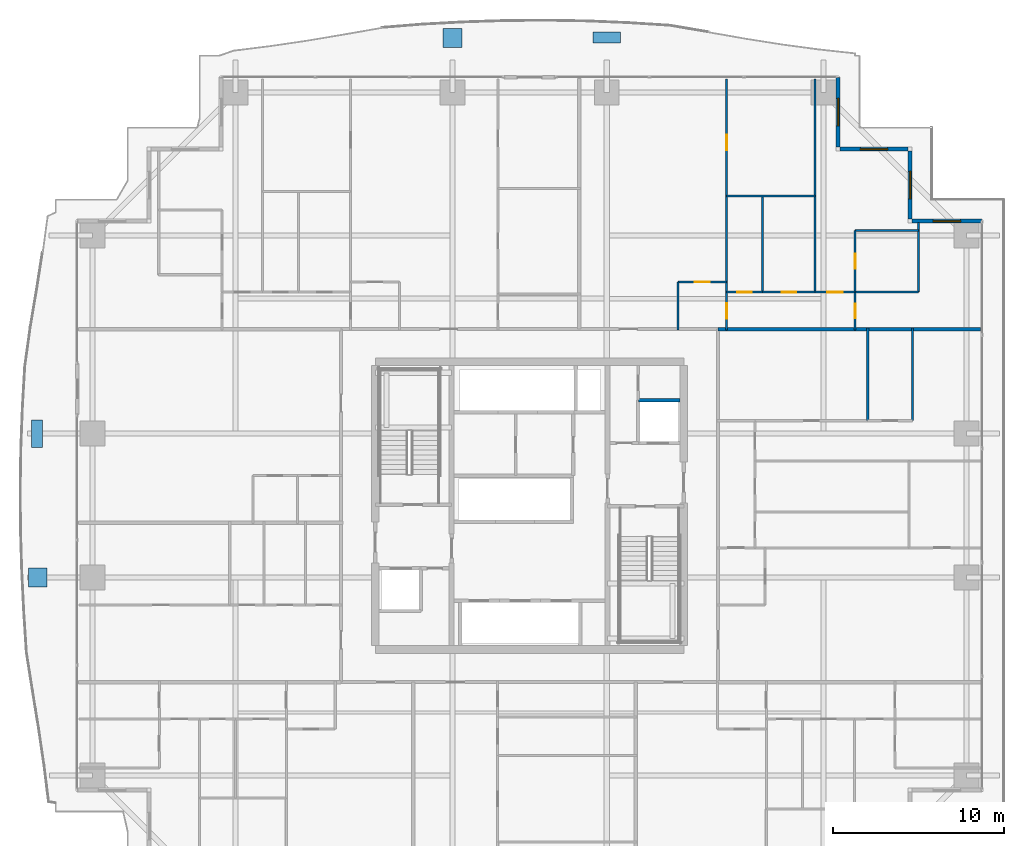
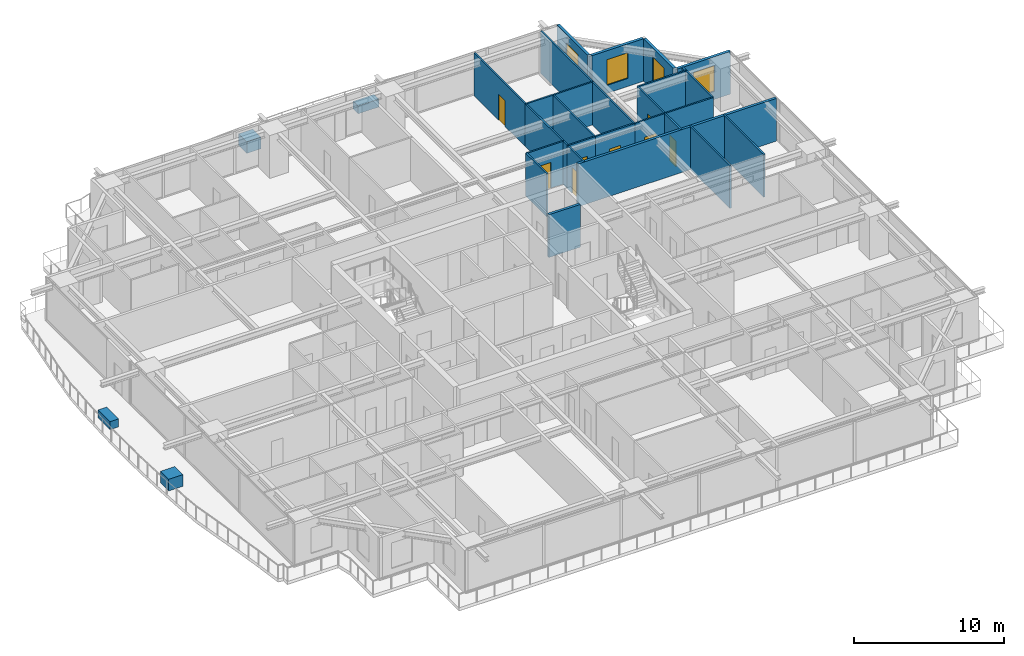
# One storey, part 28 of 35: 24 walls, 8 doors, 4 discrete accessories, 4 windows, 12 openings.
"""IFC4 building model written with IfcOpenShell, lengths in metres."""

from ifc_helpers import new_model, si_unit, direction, frame, frame_2d, origin, origin_2d, place, context, subcontext, project, spatial, rectangle, extrude, source, transform, mapped, material, layer, layer_set, type_object, element, fill, save


model = new_model("IFC4")

# Units and contexts
model_context = context("Model", 3, precision=1e-05, world=origin(), true_north=direction((0.0, 1.0)))
body_context = subcontext(model_context, "Body", "Model", "MODEL_VIEW")
ifc_project = project(units=[si_unit("LENGTHUNIT", "METRE"), si_unit("AREAUNIT", "SQUARE_METRE"), si_unit("VOLUMEUNIT", "CUBIC_METRE"), si_unit("PLANEANGLEUNIT", "RADIAN"), si_unit("MASSUNIT", "GRAM", prefix="KILO")], contexts=[model_context])

# Site, building, storey
site_placement = place(None, origin())
site = spatial("IfcSite", under=ifc_project, at=site_placement, CompositionType="ELEMENT")
building_placement = place(site_placement, origin())
building = spatial("IfcBuilding", under=site, at=building_placement, Name="Serunith Strait Residences", CompositionType="ELEMENT")
storey_placement = place(building_placement, frame((0.0, 0.0, 71.699951171875)))
storey = spatial("IfcBuildingStorey", under=building, at=storey_placement, Name="L17", CompositionType="ELEMENT", Elevation=71.699951171875)

# Wall, opening, window
ifc_material_1 = material(Name="Pale-Champagne Aluminium Insulated Panel", Category="aluminium")
ifc_layer_1 = layer(ifc_material_1, 0.219970703125, Name="Pale-Champagne Aluminium Insulated Panel")
ifc_layer_set_1 = layer_set([ifc_layer_1], Name="Pale-Champagne Aluminium Insulated Panel")
wall_type_1 = type_object("IfcWallType", Name="EW-ALUM-220", PredefinedType="ELEMENTEDWALL", material=ifc_layer_set_1)
wall_1_placement = place(storey_placement, frame((58.800048828125, 41.800048828125, 0.0), z_axis=(0.0, 0.0, 1.0), x_axis=(-1.0, 0.0, 0.0)))
wall_1 = element("IfcWall", 1, at=wall_1_placement, inside=storey, type_object=wall_type_1, Name="L17 Girih Serrated Corner Wall 07", PredefinedType="ELEMENTEDWALL", context=body_context, shape_type="SweptSolid", body=[
    extrude(rectangle(XDim=4.090087890625, YDim=0.219970703125, at=frame_2d((2.044921875, 0.0))), origin(), (0.0, 0.0, 1.0), 3.47509765625),
])
opening_1_placement = place(wall_1_placement, frame((1.2451171875, 0.0, 0.64990234375)))
opening_1 = element("IfcOpeningElement", 2, at=opening_1_placement, cuts=wall_1, Name="Opening W-02", PredefinedType="OPENING", context=body_context, shape_type="SweptSolid", body=[
    extrude(rectangle(XDim=1.60009765625, YDim=2.10009765625, at=frame_2d((0.800048828125, 1.050048828125))), frame((0.0, 0.1201171875, 0.0), z_axis=(0.0, -1.0, 0.0), x_axis=(1.0, 0.0, 0.0)), (0.0, 0.0, 1.0), 0.239990234375),
])
ifc_material_2 = material(Name="Ceramic-Fritted Operable Aluminium Window Glass", Category="aluminium")
window_type = type_object("IfcWindowType", Name="WIN-C2", PartitioningType="DOUBLE_PANEL_VERTICAL", PredefinedType="WINDOW", material=ifc_material_2)
shared_shape_1 = source(origin(), body_context, "Body", "SweptSolid", [
    extrude(rectangle(XDim=1.60009765625, YDim=2.10009765625, at=frame_2d((0.800048828125, 1.050048828125))), frame((0.0, 0.030029296875, 0.0), z_axis=(0.0, -1.0, 0.0), x_axis=(1.0, 0.0, 0.0)), (0.0, 0.0, 1.0), 0.06005859375),
])
window_1_placement = place(opening_1_placement, origin())
window_1 = element("IfcWindow", 3, at=window_1_placement, inside=storey, type_object=window_type, Name="L17 Corner Operable Fritted Window 07", OverallHeight=2.10009765625, OverallWidth=1.60009765625, PartitioningType="SINGLE_PANEL", PredefinedType="WINDOW", context=body_context, shape_type="MappedRepresentation", body=[
    mapped(shared_shape_1, transform((0.0, 0.0, 0.0), scale=1.0)),
])
fill(opening_1, window_1)

wall_2_placement = place(storey_placement, frame((54.60009765625, 41.909912109375, 0.0), z_axis=(0.0, 0.0, 1.0), x_axis=(0.0, 1.0, 0.0)))
wall_2 = element("IfcWall", 4, at=wall_2_placement, inside=storey, type_object=wall_type_1, Name="L17 Girih Serrated Corner Wall 08", PredefinedType="ELEMENTEDWALL", context=body_context, shape_type="SweptSolid", body=[
    extrude(rectangle(XDim=3.97998046875, YDim=0.219970703125, at=frame_2d((1.989990234375, 0.0))), origin(), (0.0, 0.0, 1.0), 3.47509765625),
])
opening_2_placement = place(wall_2_placement, frame((1.18994140625, 0.0, 0.64990234375)))
opening_2 = element("IfcOpeningElement", 5, at=opening_2_placement, cuts=wall_2, Name="Opening W-02", PredefinedType="OPENING", context=body_context, shape_type="SweptSolid", body=[
    extrude(rectangle(XDim=1.60009765625, YDim=2.10009765625, at=frame_2d((0.800048828125, 1.050048828125))), frame((0.0, 0.1201171875, 0.0), z_axis=(0.0, -1.0, 0.0), x_axis=(1.0, 0.0, 0.0)), (0.0, 0.0, 1.0), 0.239990234375),
])
window_2_placement = place(opening_2_placement, origin())
window_2 = element("IfcWindow", 6, at=window_2_placement, inside=storey, type_object=window_type, Name="L17 Corner Operable Fritted Window 08", OverallHeight=2.10009765625, OverallWidth=1.60009765625, PartitioningType="SINGLE_PANEL", PredefinedType="WINDOW", context=body_context, shape_type="MappedRepresentation", body=[
    mapped(shared_shape_1, transform((0.0, 0.0, 0.0), scale=1.0)),
])
fill(opening_2, window_2)

wall_3_placement = place(storey_placement, frame((54.489990234375, 46.0, 0.0), z_axis=(0.0, 0.0, 1.0), x_axis=(-1.0, 0.0, 0.0)))
wall_3 = element("IfcWall", 7, at=wall_3_placement, inside=storey, type_object=wall_type_1, Name="L17 Girih Serrated Corner Wall 09", PredefinedType="ELEMENTEDWALL", context=body_context, shape_type="SweptSolid", body=[
    extrude(rectangle(XDim=3.97998046875, YDim=0.219970703125, at=frame_2d((1.989990234375, 0.0))), origin(), (0.0, 0.0, 1.0), 3.47509765625),
])
opening_3_placement = place(wall_3_placement, frame((1.18994140625, 0.0, 0.64990234375)))
opening_3 = element("IfcOpeningElement", 8, at=opening_3_placement, cuts=wall_3, Name="Opening W-02", PredefinedType="OPENING", context=body_context, shape_type="SweptSolid", body=[
    extrude(rectangle(XDim=1.60009765625, YDim=2.10009765625, at=frame_2d((0.800048828125, 1.050048828125))), frame((0.0, 0.1201171875, 0.0), z_axis=(0.0, -1.0, 0.0), x_axis=(1.0, 0.0, 0.0)), (0.0, 0.0, 1.0), 0.239990234375),
])
window_3_placement = place(opening_3_placement, origin())
window_3 = element("IfcWindow", 9, at=window_3_placement, inside=storey, type_object=window_type, Name="L17 Corner Operable Fritted Window 09", OverallHeight=2.10009765625, OverallWidth=1.60009765625, PartitioningType="SINGLE_PANEL", PredefinedType="WINDOW", context=body_context, shape_type="MappedRepresentation", body=[
    mapped(shared_shape_1, transform((0.0, 0.0, 0.0), scale=1.0)),
])
fill(opening_3, window_3)

wall_4_placement = place(storey_placement, frame((50.39990234375, 46.110107421875, 0.0), z_axis=(0.0, 0.0, 1.0), x_axis=(0.0, 1.0, 0.0)))
wall_4 = element("IfcWall", 10, at=wall_4_placement, inside=storey, type_object=wall_type_1, Name="L17 Girih Serrated Corner Wall 10", PredefinedType="ELEMENTEDWALL", context=body_context, shape_type="SweptSolid", body=[
    extrude(rectangle(XDim=4.08984375, YDim=0.219970703125, at=frame_2d((2.044921875, 0.0))), origin(), (0.0, 0.0, 1.0), 3.47509765625),
])
opening_4_placement = place(wall_4_placement, frame((1.2451171875, 0.0, 0.64990234375)))
opening_4 = element("IfcOpeningElement", 11, at=opening_4_placement, cuts=wall_4, Name="Opening W-02", PredefinedType="OPENING", context=body_context, shape_type="SweptSolid", body=[
    extrude(rectangle(XDim=1.60009765625, YDim=2.10009765625, at=frame_2d((0.800048828125, 1.050048828125))), frame((0.0, 0.1201171875, 0.0), z_axis=(0.0, -1.0, 0.0), x_axis=(1.0, 0.0, 0.0)), (0.0, 0.0, 1.0), 0.239990234375),
])
window_4_placement = place(opening_4_placement, origin())
window_4 = element("IfcWindow", 12, at=window_4_placement, inside=storey, type_object=window_type, Name="L17 Corner Operable Fritted Window 10", OverallHeight=2.10009765625, OverallWidth=1.60009765625, PartitioningType="SINGLE_PANEL", PredefinedType="WINDOW", context=body_context, shape_type="MappedRepresentation", body=[
    mapped(shared_shape_1, transform((0.0, 0.0, 0.0), scale=1.0)),
])
fill(opening_4, window_4)

# Wall, opening, door
ifc_material_3 = material(Name="Lightweight steel-stud gypsum partition", Category="steel")
ifc_layer_2 = layer(ifc_material_3, 0.1201171875, Name="Lightweight steel-stud gypsum partition")
ifc_layer_set_2 = layer_set([ifc_layer_2], Name="Lightweight steel-stud gypsum partition")
wall_type_2 = type_object("IfcWallType", Name="IW-PART-120", PredefinedType="PARTITIONING", material=ifc_layer_set_2)
wall_5_placement = place(storey_placement, frame((41.050048828125, 38.25, 0.0), z_axis=(0.0, 0.0, 1.0), x_axis=(1.0, 0.0, 0.0)))
wall_5 = element("IfcWall", 13, at=wall_5_placement, inside=storey, type_object=wall_type_2, Name="L17 Partition Wall 086", PredefinedType="PARTITIONING", context=body_context, shape_type="SweptSolid", body=[
    extrude(rectangle(XDim=2.849853515625, YDim=0.1201171875, at=frame_2d((1.4248046875, 0.0))), origin(), (0.0, 0.0, 1.0), 3.489990234375),
])
opening_5_placement = place(wall_5_placement, frame((1.0, 0.0, 0.0)))
opening_5 = element("IfcOpeningElement", 14, at=opening_5_placement, cuts=wall_5, Name="Opening D-RM850", PredefinedType="OPENING", context=body_context, shape_type="SweptSolid", body=[
    extrude(rectangle(XDim=0.85009765625, YDim=2.10009765625, at=frame_2d((0.425048828125, 1.050048828125))), frame((0.0, 0.070068359375, 0.0), z_axis=(0.0, -1.0, 0.0), x_axis=(1.0, 0.0, 0.0)), (0.0, 0.0, 1.0), 0.14013671875),
])
ifc_material_4 = material(Name="Engineered timber flush study and kitchen door", Category="wood")
door_type_1 = type_object("IfcDoorType", Name="ID-ROOM-850", OperationType="NOTDEFINED", PredefinedType="DOOR", material=ifc_material_4)
shared_shape_2 = source(origin(), body_context, "Body", "SweptSolid", [
    extrude(rectangle(XDim=0.85009765625, YDim=2.10009765625, at=frame_2d((0.425048828125, 1.050048828125))), frame((0.0, 0.02490234375, 0.0), z_axis=(0.0, -1.0, 0.0), x_axis=(1.0, 0.0, 0.0)), (0.0, 0.0, 1.0), 0.050048828125),
])
door_1_placement = place(opening_5_placement, origin())
door_1 = element("IfcDoor", 15, at=door_1_placement, inside=storey, type_object=door_type_1, Name="L17 Kitchen 1705 Door", OperationType="SINGLE_SWING_RIGHT", OverallHeight=2.10009765625, OverallWidth=0.85009765625, PredefinedType="DOOR", context=body_context, shape_type="MappedRepresentation", body=[
    mapped(shared_shape_2, transform((0.0, 0.0, 0.0), scale=1.0)),
])
fill(opening_5, door_1)

# Wall
wall_6_placement = place(storey_placement, frame((41.050048828125, 38.25, 0.0), z_axis=(0.0, 0.0, 1.0), x_axis=(0.0, -1.0, 0.0)))
element("IfcWall", 16, at=wall_6_placement, inside=storey, type_object=wall_type_2, Name="L17 Partition Wall 087", PredefinedType="PARTITIONING", context=body_context, shape_type="SweptSolid", body=[
    extrude(rectangle(XDim=2.81005859375, YDim=0.1201171875, at=frame_2d((1.405029296875, 0.0))), origin(), (0.0, 0.0, 1.0), 3.489990234375),
])

# Wall, opening, door
wall_7_placement = place(storey_placement, frame((43.89990234375, 37.64990234375, 0.0), z_axis=(0.0, 0.0, 1.0), x_axis=(0.0, -1.0, 0.0)))
wall_7 = element("IfcWall", 17, at=wall_7_placement, inside=storey, type_object=wall_type_2, Name="L17 Partition Wall 088", PredefinedType="PARTITIONING", context=body_context, shape_type="SweptSolid", body=[
    extrude(rectangle(XDim=2.2099609375, YDim=0.1201171875, at=frame_2d((1.10498046875, 0.0))), origin(), (0.0, 0.0, 1.0), 3.489990234375),
])
opening_6_placement = place(wall_7_placement, frame((0.655029296875, 0.0, 0.0)))
opening_6 = element("IfcOpeningElement", 18, at=opening_6_placement, cuts=wall_7, Name="Opening D-RM900", PredefinedType="OPENING", context=body_context, shape_type="SweptSolid", body=[
    extrude(rectangle(XDim=0.89990234375, YDim=2.10009765625, at=frame_2d((0.449951171875, 1.050048828125))), frame((0.0, 0.070068359375, 0.0), z_axis=(0.0, -1.0, 0.0), x_axis=(1.0, 0.0, 0.0)), (0.0, 0.0, 1.0), 0.14013671875),
])
ifc_material_5 = material(Name="Engineered timber flush bedroom door", Category="wood")
door_type_2 = type_object("IfcDoorType", Name="ID-ROOM-900", OperationType="NOTDEFINED", PredefinedType="DOOR", material=ifc_material_5)
shared_shape_3 = source(origin(), body_context, "Body", "SweptSolid", [
    extrude(rectangle(XDim=0.89990234375, YDim=2.10009765625, at=frame_2d((0.449951171875, 1.050048828125))), frame((0.0, 0.02490234375, 0.0), z_axis=(0.0, -1.0, 0.0), x_axis=(1.0, 0.0, 0.0)), (0.0, 0.0, 1.0), 0.050048828125),
])
door_2_placement = place(opening_6_placement, origin())
door_2 = element("IfcDoor", 19, at=door_2_placement, inside=storey, type_object=door_type_2, Name="L17 Hall E 1705 Door", OperationType="SINGLE_SWING_LEFT", OverallHeight=2.10009765625, OverallWidth=0.89990234375, PredefinedType="DOOR", context=body_context, shape_type="MappedRepresentation", body=[
    mapped(shared_shape_3, transform((0.0, 0.0, 0.0), scale=1.0)),
])
fill(opening_6, door_2)

wall_8_placement = place(storey_placement, frame((43.89990234375, 50.10498046875, 0.0), z_axis=(0.0, 0.0, 1.0), x_axis=(0.0, -1.0, 0.0)))
wall_8 = element("IfcWall", 20, at=wall_8_placement, inside=storey, type_object=wall_type_2, Name="L17 Partition Wall 089", PredefinedType="PARTITIONING", context=body_context, shape_type="SweptSolid", body=[
    extrude(rectangle(XDim=6.85107421875, YDim=0.1201171875, at=frame_2d((3.425537109375, 0.0))), origin(), (0.0, 0.0, 1.0), 3.489990234375),
])
opening_7_placement = place(wall_8_placement, frame((3.27294921875, 0.0, 0.0)))
opening_7 = element("IfcOpeningElement", 21, at=opening_7_placement, cuts=wall_8, Name="Opening D-RM900", PredefinedType="OPENING", context=body_context, shape_type="SweptSolid", body=[
    extrude(rectangle(XDim=0.89990234375, YDim=2.10009765625, at=frame_2d((0.449951171875, 1.050048828125))), frame((0.0, 0.070068359375, 0.0), z_axis=(0.0, -1.0, 0.0), x_axis=(1.0, 0.0, 0.0)), (0.0, 0.0, 1.0), 0.14013671875),
])
door_3_placement = place(opening_7_placement, origin())
door_3 = element("IfcDoor", 22, at=door_3_placement, inside=storey, type_object=door_type_2, Name="L17 Formal Dining Room 1 1705 Door", OperationType="SINGLE_SWING_RIGHT", OverallHeight=2.10009765625, OverallWidth=0.89990234375, PredefinedType="DOOR", context=body_context, shape_type="MappedRepresentation", body=[
    mapped(shared_shape_3, transform((0.0, 0.0, 0.0), scale=1.0)),
])
fill(opening_7, door_3)

# Walls
wall_9_placement = place(storey_placement, frame((43.89990234375, 43.251953125, 0.0), z_axis=(0.0, 0.0, 1.0), x_axis=(0.0, -1.0, 0.0)))
element("IfcWall", 23, at=wall_9_placement, inside=storey, type_object=wall_type_2, Name="L17 Partition Wall 090", PredefinedType="PARTITIONING", context=body_context, shape_type="SweptSolid", body=[
    extrude(rectangle(XDim=5.599853515625, YDim=0.1201171875, at=frame_2d((2.7998046875, 0.0))), origin(), (0.0, 0.0, 1.0), 3.489990234375),
])
wall_10_placement = place(storey_placement, frame((43.89990234375, 43.25390625, 0.0), z_axis=(0.0, 0.0, 1.0), x_axis=(1.0, 0.0, 0.0)))
element("IfcWall", 24, at=wall_10_placement, inside=storey, type_object=wall_type_2, Name="L17 Partition Wall 091", PredefinedType="PARTITIONING", context=body_context, shape_type="SweptSolid", body=[
    extrude(rectangle(XDim=5.150146484375, YDim=0.1201171875, at=frame_2d((2.5751953125, 0.0))), origin(), (0.0, 0.0, 1.0), 3.489990234375),
])
wall_11_placement = place(storey_placement, frame((49.050048828125, 50.10498046875, 0.0), z_axis=(0.0, 0.0, 1.0), x_axis=(0.0, -1.0, 0.0)))
element("IfcWall", 25, at=wall_11_placement, inside=storey, type_object=wall_type_2, Name="L17 Partition Wall 092", PredefinedType="PARTITIONING", context=body_context, shape_type="SweptSolid", body=[
    extrude(rectangle(XDim=12.455078125, YDim=0.1201171875, at=frame_2d((6.2275390625, 0.0))), origin(), (0.0, 0.0, 1.0), 3.489990234375),
])
wall_12_placement = place(storey_placement, frame((46.0, 43.25390625, 0.0), z_axis=(0.0, 0.0, 1.0), x_axis=(0.0, -1.0, 0.0)))
element("IfcWall", 26, at=wall_12_placement, inside=storey, type_object=wall_type_2, Name="L17 Partition Wall 093", PredefinedType="PARTITIONING", context=body_context, shape_type="SweptSolid", body=[
    extrude(rectangle(XDim=5.60400390625, YDim=0.1201171875, at=frame_2d((2.802001953125, 0.0))), origin(), (0.0, 0.0, 1.0), 3.489990234375),
])

# Wall, opening, door
wall_13_placement = place(storey_placement, frame((43.89990234375, 37.64990234375, 0.0), z_axis=(0.0, 0.0, 1.0), x_axis=(1.0, 0.0, 0.0)))
wall_13 = element("IfcWall", 27, at=wall_13_placement, inside=storey, type_object=wall_type_2, Name="L17 Partition Wall 094", PredefinedType="PARTITIONING", context=body_context, shape_type="SweptSolid", body=[
    extrude(rectangle(XDim=2.10009765625, YDim=0.1201171875, at=frame_2d((1.050048828125, 0.0))), origin(), (0.0, 0.0, 1.0), 3.489990234375),
])
opening_8_placement = place(wall_13_placement, frame((0.625, 0.0, 0.0)))
opening_8 = element("IfcOpeningElement", 28, at=opening_8_placement, cuts=wall_13, Name="Opening D-BTH850", PredefinedType="OPENING", context=body_context, shape_type="SweptSolid", body=[
    extrude(rectangle(XDim=0.85009765625, YDim=2.10009765625, at=frame_2d((0.425048828125, 1.050048828125))), frame((0.0, 0.070068359375, 0.0), z_axis=(0.0, -1.0, 0.0), x_axis=(1.0, 0.0, 0.0)), (0.0, 0.0, 1.0), 0.14013671875),
])
ifc_material_6 = material(Name="Moisture-resistant timber bathroom door", Category="wood")
door_type_3 = type_object("IfcDoorType", Name="ID-BATH-850", OperationType="NOTDEFINED", PredefinedType="DOOR", material=ifc_material_6)
door_4_placement = place(opening_8_placement, origin())
door_4 = element("IfcDoor", 29, at=door_4_placement, inside=storey, type_object=door_type_3, Name="L17 Bathroom 1705 Door", OperationType="SINGLE_SWING_LEFT", OverallHeight=2.10009765625, OverallWidth=0.85009765625, PredefinedType="DOOR", context=body_context, shape_type="MappedRepresentation", body=[
    mapped(shared_shape_2, transform((0.0, 0.0, 0.0), scale=1.0)),
])
fill(opening_8, door_4)

wall_14_placement = place(storey_placement, frame((46.001953125, 37.64990234375, 0.0), z_axis=(0.0, 0.0, 1.0), x_axis=(1.0, 0.0, 0.0)))
wall_14 = element("IfcWall", 30, at=wall_14_placement, inside=storey, type_object=wall_type_2, Name="L17 Partition Wall 095", PredefinedType="PARTITIONING", context=body_context, shape_type="SweptSolid", body=[
    extrude(rectangle(XDim=3.048095703125, YDim=0.1201171875, at=frame_2d((1.52392578125, 0.0))), origin(), (0.0, 0.0, 1.0), 3.489990234375),
])
opening_9_placement = place(wall_14_placement, frame((1.09912109375, 0.0, 0.0)))
opening_9 = element("IfcOpeningElement", 31, at=opening_9_placement, cuts=wall_14, Name="Opening D-RM850", PredefinedType="OPENING", context=body_context, shape_type="SweptSolid", body=[
    extrude(rectangle(XDim=0.85009765625, YDim=2.10009765625, at=frame_2d((0.425048828125, 1.050048828125))), frame((0.0, 0.070068359375, 0.0), z_axis=(0.0, -1.0, 0.0), x_axis=(1.0, 0.0, 0.0)), (0.0, 0.0, 1.0), 0.14013671875),
])
door_5_placement = place(opening_9_placement, origin())
door_5 = element("IfcDoor", 32, at=door_5_placement, inside=storey, type_object=door_type_1, Name="L17 Formal Dining Room 1705 Door", OperationType="SINGLE_SWING_RIGHT", OverallHeight=2.10009765625, OverallWidth=0.85009765625, PredefinedType="DOOR", context=body_context, shape_type="MappedRepresentation", body=[
    mapped(shared_shape_2, transform((0.0, 0.0, 0.0), scale=1.0)),
])
fill(opening_9, door_5)

wall_15_placement = place(storey_placement, frame((49.052001953125, 37.64990234375, 0.0), z_axis=(0.0, 0.0, 1.0), x_axis=(1.0, 0.0, 0.0)))
wall_15 = element("IfcWall", 33, at=wall_15_placement, inside=storey, type_object=wall_type_2, Name="L17 Partition Wall 096", PredefinedType="PARTITIONING", context=body_context, shape_type="SweptSolid", body=[
    extrude(rectangle(XDim=2.347900390625, YDim=0.1201171875, at=frame_2d((1.173828125, 0.0))), origin(), (0.0, 0.0, 1.0), 3.489990234375),
])
opening_10_placement = place(wall_15_placement, frame((0.72412109375, 0.0, 0.0)))
opening_10 = element("IfcOpeningElement", 34, at=opening_10_placement, cuts=wall_15, Name="Opening D-RM900", PredefinedType="OPENING", context=body_context, shape_type="SweptSolid", body=[
    extrude(rectangle(XDim=0.89990234375, YDim=2.10009765625, at=frame_2d((0.449951171875, 1.050048828125))), frame((0.0, 0.070068359375, 0.0), z_axis=(0.0, -1.0, 0.0), x_axis=(1.0, 0.0, 0.0)), (0.0, 0.0, 1.0), 0.14013671875),
])
door_6_placement = place(opening_10_placement, origin())
door_6 = element("IfcDoor", 35, at=door_6_placement, inside=storey, type_object=door_type_2, Name="L17 Master Bedroom E 1705 Door", OperationType="SINGLE_SWING_LEFT", OverallHeight=2.10009765625, OverallWidth=0.89990234375, PredefinedType="DOOR", context=body_context, shape_type="MappedRepresentation", body=[
    mapped(shared_shape_3, transform((0.0, 0.0, 0.0), scale=1.0)),
])
fill(opening_10, door_6)

# Walls
wall_16_placement = place(storey_placement, frame((51.39990234375, 41.261962890625, 0.0), z_axis=(0.0, 0.0, 1.0), x_axis=(1.0, 0.0, 0.0)))
element("IfcWall", 36, at=wall_16_placement, inside=storey, type_object=wall_type_2, Name="L17 Partition Wall 097", PredefinedType="PARTITIONING", context=body_context, shape_type="SweptSolid", body=[
    extrude(rectangle(XDim=3.7001953125, YDim=0.1201171875, at=frame_2d((1.85009765625, 0.0))), origin(), (0.0, 0.0, 1.0), 3.489990234375),
])
wall_17_placement = place(storey_placement, frame((55.10009765625, 41.705078125, 0.0), z_axis=(0.0, 0.0, 1.0), x_axis=(0.0, -1.0, 0.0)))
element("IfcWall", 37, at=wall_17_placement, inside=storey, type_object=wall_type_2, Name="L17 Partition Wall 098", PredefinedType="PARTITIONING", context=body_context, shape_type="SweptSolid", body=[
    extrude(rectangle(XDim=4.05517578125, YDim=0.1201171875, at=frame_2d((2.027587890625, 0.0))), origin(), (0.0, 0.0, 1.0), 3.489990234375),
])
wall_18_placement = place(storey_placement, frame((51.402099609375, 37.64990234375, 0.0), z_axis=(0.0, 0.0, 1.0), x_axis=(1.0, 0.0, 0.0)))
element("IfcWall", 38, at=wall_18_placement, inside=storey, type_object=wall_type_2, Name="L17 Partition Wall 099", PredefinedType="PARTITIONING", context=body_context, shape_type="SweptSolid", body=[
    extrude(rectangle(XDim=3.697998046875, YDim=0.1201171875, at=frame_2d((1.84912109375, 0.0))), origin(), (0.0, 0.0, 1.0), 3.489990234375),
])

# Wall, opening, door
wall_19_placement = place(storey_placement, frame((51.39990234375, 41.261962890625, 0.0), z_axis=(0.0, 0.0, 1.0), x_axis=(0.0, -1.0, 0.0)))
wall_19 = element("IfcWall", 39, at=wall_19_placement, inside=storey, type_object=wall_type_2, Name="L17 Partition Wall 100", PredefinedType="PARTITIONING", context=body_context, shape_type="SweptSolid", body=[
    extrude(rectangle(XDim=3.612060546875, YDim=0.1201171875, at=frame_2d((1.80615234375, 0.0))), origin(), (0.0, 0.0, 1.0), 3.489990234375),
])
opening_11_placement = place(wall_19_placement, frame((1.381103515625, 0.0, 0.0)))
opening_11 = element("IfcOpeningElement", 40, at=opening_11_placement, cuts=wall_19, Name="Opening D-BTH850", PredefinedType="OPENING", context=body_context, shape_type="SweptSolid", body=[
    extrude(rectangle(XDim=0.85009765625, YDim=2.10009765625, at=frame_2d((0.425048828125, 1.050048828125))), frame((0.0, 0.070068359375, 0.0), z_axis=(0.0, -1.0, 0.0), x_axis=(1.0, 0.0, 0.0)), (0.0, 0.0, 1.0), 0.14013671875),
])
door_7_placement = place(opening_11_placement, origin())
door_7 = element("IfcDoor", 41, at=door_7_placement, inside=storey, type_object=door_type_3, Name="L17 En-suite Bathroom E 1705 Door", OperationType="SINGLE_SWING_RIGHT", OverallHeight=2.10009765625, OverallWidth=0.85009765625, PredefinedType="DOOR", context=body_context, shape_type="MappedRepresentation", body=[
    mapped(shared_shape_2, transform((0.0, 0.0, 0.0), scale=1.0)),
])
fill(opening_11, door_7)

wall_20_placement = place(storey_placement, frame((51.39990234375, 37.64794921875, 0.0), z_axis=(0.0, 0.0, 1.0), x_axis=(0.0, -1.0, 0.0)))
wall_20 = element("IfcWall", 42, at=wall_20_placement, inside=storey, type_object=wall_type_2, Name="L17 Partition Wall 101", PredefinedType="PARTITIONING", context=body_context, shape_type="SweptSolid", body=[
    extrude(rectangle(XDim=2.2080078125, YDim=0.1201171875, at=frame_2d((1.10400390625, 0.0))), origin(), (0.0, 0.0, 1.0), 3.489990234375),
])
opening_12_placement = place(wall_20_placement, frame((0.678955078125, 0.0, 0.0)))
opening_12 = element("IfcOpeningElement", 43, at=opening_12_placement, cuts=wall_20, Name="Opening D-RM850", PredefinedType="OPENING", context=body_context, shape_type="SweptSolid", body=[
    extrude(rectangle(XDim=0.85009765625, YDim=2.10009765625, at=frame_2d((0.425048828125, 1.050048828125))), frame((0.0, 0.070068359375, 0.0), z_axis=(0.0, -1.0, 0.0), x_axis=(1.0, 0.0, 0.0)), (0.0, 0.0, 1.0), 0.14013671875),
])
door_8_placement = place(opening_12_placement, origin())
door_8 = element("IfcDoor", 44, at=door_8_placement, inside=storey, type_object=door_type_1, Name="L17 Wardrobe E 1705 Door", OperationType="SINGLE_SWING_LEFT", OverallHeight=2.10009765625, OverallWidth=0.85009765625, PredefinedType="DOOR", context=body_context, shape_type="MappedRepresentation", body=[
    mapped(shared_shape_2, transform((0.0, 0.0, 0.0), scale=1.0)),
])
fill(opening_12, door_8)

# Walls
for number, where, z_axis, x_axis, name in (
    (45, (54.75, 30.14990234375, 0.0), (0.0, 0.0, 1.0), (0.0, 1.0, 0.0), "L17 Partition Wall 124"),
    (46, (52.133056640625, 30.14990234375, 0.0), (0.0, 0.0, 1.0), (0.0, 1.0, 0.0), "L17 Partition Wall 125"),
):
    element("IfcWall", number, at=place(storey_placement, frame(where, z_axis=z_axis, x_axis=x_axis)), inside=storey, type_object=wall_type_2, Name=name, PredefinedType="PARTITIONING", context=body_context, shape_type="SweptSolid", body=[
        extrude(rectangle(XDim=5.41015625, YDim=0.1201171875, at=frame_2d((2.705078125, 0.0))), origin(), (0.0, 0.0, 1.0), 3.489990234375),
    ])
ifc_material_7 = material(Name="Twin-stud acoustic gypsum board partition")
ifc_layer_3 = layer(ifc_material_7, 0.199951171875, Name="Twin-stud acoustic gypsum board partition")
ifc_layer_set_3 = layer_set([ifc_layer_3], Name="Twin-stud acoustic gypsum board partition")
wall_type_3 = type_object("IfcWallType", Name="IW-PARTY-200", PredefinedType="PARTITIONING", material=ifc_layer_set_3)
wall_21_placement = place(storey_placement, frame((43.39990234375, 35.5, 0.0), z_axis=(0.0, 0.0, 1.0), x_axis=(1.0, 0.0, 0.0)))
element("IfcWall", 47, at=wall_21_placement, inside=storey, type_object=wall_type_3, Name="L17 Partition Wall 022", PredefinedType="PARTITIONING", context=body_context, shape_type="SweptSolid", body=[
    extrude(rectangle(XDim=15.318115234375, YDim=0.199951171875, at=frame_2d((7.6591796875, 0.0))), origin(), (0.0, 0.0, 1.0), 3.489990234375),
])
ifc_material_8 = material(Name="Autoclaved aerated concrete blockwork", Category="masonry")
ifc_layer_4 = layer(ifc_material_8, 0.199951171875, Name="Autoclaved aerated concrete blockwork")
ifc_layer_set_4 = layer_set([ifc_layer_4], Name="Autoclaved aerated concrete blockwork")
wall_type_4 = type_object("IfcWallType", Name="IW-SHAFT-200", PredefinedType="STANDARD", material=ifc_layer_set_4)
wall_22_placement = place(storey_placement, frame((38.75, 31.35009765625, 0.0), z_axis=(0.0, 0.0, 1.0), x_axis=(1.0, 0.0, 0.0)))
element("IfcWall", 48, at=wall_22_placement, inside=storey, type_object=wall_type_4, Name="L17 Partition Wall 005", PredefinedType="STANDARD", context=body_context, shape_type="SweptSolid", body=[
    extrude(rectangle(XDim=2.425048828125, YDim=0.199951171875, at=frame_2d((1.21240234375, 0.0))), origin(), (0.0, 0.0, 1.0), 3.489990234375),
])

# Discrete accessories
ifc_material_9 = material(Name="GFRC Root-Anchored Structural Planter")
discrete_accessory_type_1 = type_object("IfcDiscreteAccessoryType", Name="ACC-PLANTER-TREE", PredefinedType="USERDEFINED", material=ifc_material_9)
shared_shape_4 = source(origin(), body_context, "Body", "SweptSolid", [
    extrude(rectangle(XDim=1.10009765625, YDim=1.10009765625, at=origin_2d()), origin(), (0.0, 0.0, 1.0), 0.949951171875),
])
for number, where, z_axis, x_axis, name in (
    (49, (27.89990234375, 52.477294921875, -0.0498046875), (0.0, 0.0, 1.0), (-1.0, 0.0, 0.0), "L17 Vertical-Forest Tree Planter 06"),
    (50, (3.697265625, 21.0, -0.0498046875), (0.0, 0.0, 1.0), (0.0, -1.0, 0.0), "L17 Vertical-Forest Tree Planter 14"),
):
    element("IfcDiscreteAccessory", number, at=place(storey_placement, frame(where, z_axis=z_axis, x_axis=x_axis)), inside=storey, type_object=discrete_accessory_type_1, Name=name, ObjectType="PLANTER", PredefinedType="USERDEFINED", context=body_context, shape_type="MappedRepresentation", body=[
        mapped(shared_shape_4, transform((0.0, 0.0, 0.0), scale=1.0)),
    ])
ifc_material_10 = material(Name="GFRC Irrigated Shrub Trough Planter")
discrete_accessory_type_2 = type_object("IfcDiscreteAccessoryType", Name="ACC-PLANTER-SHRUB", PredefinedType="USERDEFINED", material=ifc_material_10)
shared_shape_5 = source(origin(), body_context, "Body", "SweptSolid", [
    extrude(rectangle(XDim=1.60009765625, YDim=0.64990234375, at=origin_2d()), origin(), (0.0, 0.0, 1.0), 0.64990234375),
])
for number, where, z_axis, x_axis, name in (
    (51, (36.89990234375, 52.52197265625, -0.0498046875), (0.0, 0.0, 1.0), (-1.0, 0.0, 0.0), "L17 Vertical-Forest Shrub Planter 07"),
    (52, (3.657470703125, 29.39990234375, -0.0498046875), (0.0, 0.0, 1.0), (0.0, -1.0, 0.0), "L17 Vertical-Forest Shrub Planter 15"),
):
    element("IfcDiscreteAccessory", number, at=place(storey_placement, frame(where, z_axis=z_axis, x_axis=x_axis)), inside=storey, type_object=discrete_accessory_type_2, Name=name, ObjectType="PLANTER", PredefinedType="USERDEFINED", context=body_context, shape_type="MappedRepresentation", body=[
        mapped(shared_shape_5, transform((0.0, 0.0, 0.0), scale=1.0)),
    ])

save(model, "model.ifc")
